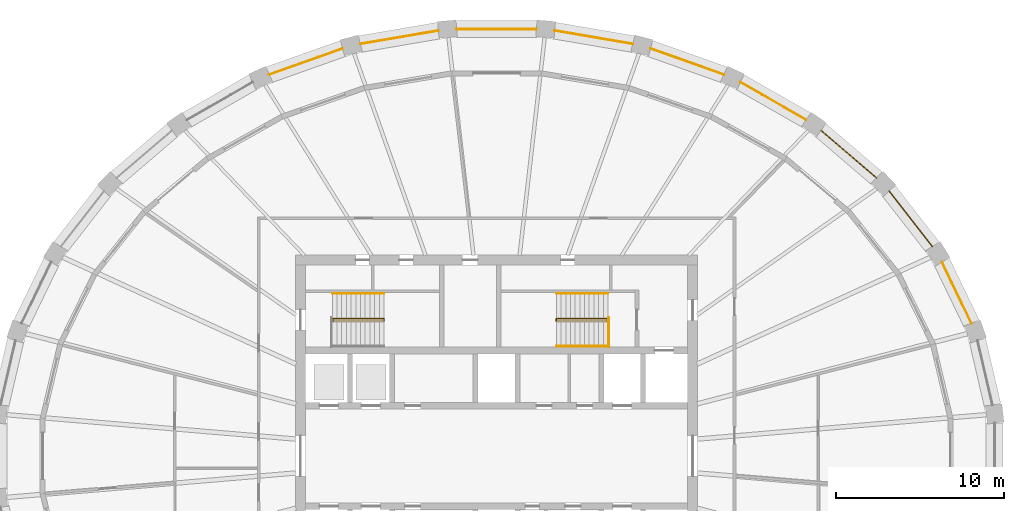
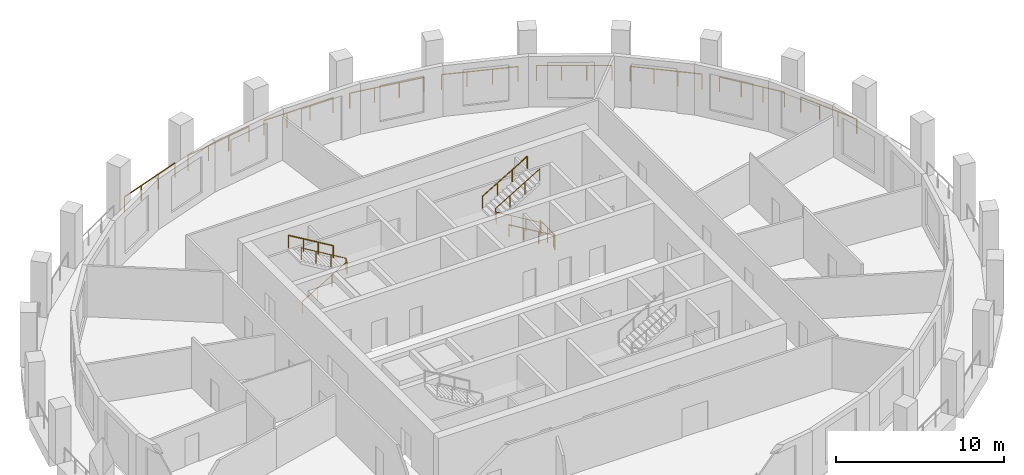
# One storey, part 9 of 10: 15 railings.
"""IFC4 building model written with IfcOpenShell, lengths in metres."""

from ifc_helpers import new_model, si_unit, direction, frame, origin, origin_2d, place, context, subcontext, project, spatial, circle, extrude, material, type_object, element, save


model = new_model("IFC4")

# Units and contexts
model_context = context("Model", 3, precision=1e-05, world=origin(), true_north=direction((0.0, 1.0)))
body_context = subcontext(model_context, "Body", "Model", "MODEL_VIEW")
ifc_project = project(units=[si_unit("LENGTHUNIT", "METRE"), si_unit("AREAUNIT", "SQUARE_METRE"), si_unit("VOLUMEUNIT", "CUBIC_METRE"), si_unit("PLANEANGLEUNIT", "RADIAN"), si_unit("MASSUNIT", "GRAM", prefix="KILO")], contexts=[model_context])

# Site, building, storey
site_placement = place(None, origin())
site = spatial("IfcSite", under=ifc_project, at=site_placement, CompositionType="ELEMENT")
building_placement = place(site_placement, origin())
building = spatial("IfcBuilding", under=site, at=building_placement, Name="Halqa Exchange Tower", CompositionType="ELEMENT")
storey_placement = place(building_placement, frame((0.0, 0.0, 272.300048828125)))
storey = spatial("IfcBuildingStorey", under=building, at=storey_placement, Name="L63", CompositionType="ELEMENT", Elevation=272.300048828125)

# Railings
ifc_material = material(Name="Stainless steel", Category="steel")
railing_type_1 = type_object("IfcRailingType", Name="Guard 1100 stainless steel", PredefinedType="GUARDRAIL", material=ifc_material)
railing_1_placement = place(storey_placement, frame((28.343017578125, 7.927001953125, 0.0)))
element("IfcRailing", 1, at=railing_1_placement, inside=storey, type_object=railing_type_1, Name="Loggia guard 2", PredefinedType="GUARDRAIL", context=body_context, shape_type="SweptSolid", body=[
    extrude(circle(Radius=0.02392578125, at=origin_2d()), frame((0.0, 0.0, 1.076171875), z_axis=(-0.435140153369, 0.900362730751, 0.0), x_axis=(-0.900362730751, -0.435140153369, 0.0)), (0.0, 0.0, 1.0), 4.0498046875),
    extrude(circle(Radius=0.02099609375, at=origin_2d()), origin(), (0.0, 0.0, 1.0), 1.052001953125),
    extrude(circle(Radius=0.02099609375, at=origin_2d()), frame((-0.58740234375, 1.21533203125, 0.0)), (0.0, 0.0, 1.0), 1.052001953125),
    extrude(circle(Radius=0.02099609375, at=origin_2d()), frame((-1.1748046875, 2.430908203125, 0.0)), (0.0, 0.0, 1.0), 1.052001953125),
    extrude(circle(Radius=0.02099609375, at=origin_2d()), frame((-1.76220703125, 3.646240234375, 0.0)), (0.0, 0.0, 1.0), 1.052001953125),
])
railing_2_placement = place(storey_placement, frame((26.00341796875, 12.502197265625, 0.0)))
element("IfcRailing", 2, at=railing_2_placement, inside=storey, type_object=railing_type_1, Name="Loggia guard 3", PredefinedType="GUARDRAIL", context=body_context, shape_type="SweptSolid", body=[
    extrude(circle(Radius=0.02392578125, at=origin_2d()), frame((0.0, 0.0, 1.076171875), z_axis=(-0.614799253617, 0.788683636036, 0.0), x_axis=(-0.788683636036, -0.614799253617, 0.0)), (0.0, 0.0, 1.0), 4.191162109375),
    extrude(circle(Radius=0.02099609375, at=origin_2d()), origin(), (0.0, 0.0, 1.0), 1.052001953125),
    extrude(circle(Radius=0.02099609375, at=origin_2d()), frame((-0.85888671875, 1.101806640625, 0.0)), (0.0, 0.0, 1.0), 1.052001953125),
    extrude(circle(Radius=0.02099609375, at=origin_2d()), frame((-1.7177734375, 2.20361328125, 0.0)), (0.0, 0.0, 1.0), 1.052001953125),
    extrude(circle(Radius=0.02099609375, at=origin_2d()), frame((-2.57666015625, 3.305419921875, 0.0)), (0.0, 0.0, 1.0), 1.052001953125),
])
railing_3_placement = place(storey_placement, frame((22.6708984375, 16.599365234375, 0.0)))
element("IfcRailing", 3, at=railing_3_placement, inside=storey, type_object=railing_type_1, Name="Loggia guard 4", PredefinedType="GUARDRAIL", context=body_context, shape_type="SweptSolid", body=[
    extrude(circle(Radius=0.02392578125, at=origin_2d()), frame((0.0, 0.0, 1.076171875), z_axis=(-0.759232847893, 0.650819085983, 0.0), x_axis=(-0.650819085983, -0.759232847893, 0.0)), (0.0, 0.0, 1.0), 4.35302734375),
    extrude(circle(Radius=0.02099609375, at=origin_2d()), origin(), (0.0, 0.0, 1.0), 1.052001953125),
    extrude(circle(Radius=0.02099609375, at=origin_2d()), frame((-1.1015625, 0.9443359375, 0.0)), (0.0, 0.0, 1.0), 1.052001953125),
    extrude(circle(Radius=0.02099609375, at=origin_2d()), frame((-2.203369140625, 1.888671875, 0.0)), (0.0, 0.0, 1.0), 1.052001953125),
    extrude(circle(Radius=0.02099609375, at=origin_2d()), frame((-3.304931640625, 2.8330078125, 0.0)), (0.0, 0.0, 1.0), 1.052001953125),
])
railing_4_placement = place(storey_placement, frame((18.470947265625, 20.0634765625, 0.0)))
element("IfcRailing", 4, at=railing_4_placement, inside=storey, type_object=railing_type_1, Name="Loggia guard 5", PredefinedType="GUARDRAIL", context=body_context, shape_type="SweptSolid", body=[
    extrude(circle(Radius=0.02392578125, at=origin_2d()), frame((0.0, 0.0, 1.076171875), z_axis=(-0.867743048919, 0.497013079357, 0.0), x_axis=(-0.497013079357, -0.867743048919, 0.0)), (0.0, 0.0, 1.0), 4.51025390625),
    extrude(circle(Radius=0.02099609375, at=origin_2d()), origin(), (0.0, 0.0, 1.0), 1.052001953125),
    extrude(circle(Radius=0.02099609375, at=origin_2d()), frame((-1.3046875, 0.747314453125, 0.0)), (0.0, 0.0, 1.0), 1.052001953125),
    extrude(circle(Radius=0.02099609375, at=origin_2d()), frame((-2.609130859375, 1.494384765625, 0.0)), (0.0, 0.0, 1.0), 1.052001953125),
    extrude(circle(Radius=0.02099609375, at=origin_2d()), frame((-3.913818359375, 2.24169921875, 0.0)), (0.0, 0.0, 1.0), 1.052001953125),
])
railing_5_placement = place(storey_placement, frame((13.5615234375, 22.762451171875, 0.0)))
element("IfcRailing", 5, at=railing_5_placement, inside=storey, type_object=railing_type_1, Name="Loggia guard 6", PredefinedType="GUARDRAIL", context=body_context, shape_type="SweptSolid", body=[
    extrude(circle(Radius=0.02392578125, at=origin_2d()), frame((0.0, 0.0, 1.076171875), z_axis=(-0.942353373352, 0.334619365447, 0.0), x_axis=(-0.334619365447, -0.942353373352, 0.0)), (0.0, 0.0, 1.0), 4.640380859375),
    extrude(circle(Radius=0.02099609375, at=origin_2d()), origin(), (0.0, 0.0, 1.0), 1.052001953125),
    extrude(circle(Radius=0.02099609375, at=origin_2d()), frame((-1.45751953125, 0.517578125, 0.0)), (0.0, 0.0, 1.0), 1.052001953125),
    extrude(circle(Radius=0.02099609375, at=origin_2d()), frame((-2.915283203125, 1.03515625, 0.0)), (0.0, 0.0, 1.0), 1.052001953125),
    extrude(circle(Radius=0.02099609375, at=origin_2d()), frame((-4.372802734375, 1.552734375, 0.0)), (0.0, 0.0, 1.0), 1.052001953125),
])
railing_6_placement = place(storey_placement, frame((8.128173828125, 24.591552734375, 0.0)))
element("IfcRailing", 6, at=railing_6_placement, inside=storey, type_object=railing_type_1, Name="Loggia guard 7", PredefinedType="GUARDRAIL", context=body_context, shape_type="SweptSolid", body=[
    extrude(circle(Radius=0.02392578125, at=origin_2d()), frame((0.0, 0.0, 1.076171875), z_axis=(-0.985776950658, 0.168058928803, 0.0), x_axis=(-0.168058928803, -0.985776950658, 0.0)), (0.0, 0.0, 1.0), 4.7255859375),
    extrude(circle(Radius=0.02099609375, at=origin_2d()), origin(), (0.0, 0.0, 1.0), 1.052001953125),
    extrude(circle(Radius=0.02099609375, at=origin_2d()), frame((-1.552734375, 0.2646484375, 0.0)), (0.0, 0.0, 1.0), 1.052001953125),
    extrude(circle(Radius=0.02099609375, at=origin_2d()), frame((-3.105712890625, 0.529541015625, 0.0)), (0.0, 0.0, 1.0), 1.052001953125),
    extrude(circle(Radius=0.02099609375, at=origin_2d()), frame((-4.658447265625, 0.794189453125, 0.0)), (0.0, 0.0, 1.0), 1.052001953125),
])
railing_7_placement = place(storey_placement, frame((2.377685546875, 25.478271484375, 0.0)))
element("IfcRailing", 7, at=railing_7_placement, inside=storey, type_object=railing_type_1, Name="Loggia guard 8", PredefinedType="GUARDRAIL", context=body_context, shape_type="SweptSolid", body=[
    extrude(circle(Radius=0.02392578125, at=origin_2d()), frame((0.0, 0.0, 1.076171875), z_axis=(-1.0, 0.0, 0.0), x_axis=(0.0, -1.0, 0.0)), (0.0, 0.0, 1.0), 4.75537109375),
    extrude(circle(Radius=0.02099609375, at=origin_2d()), origin(), (0.0, 0.0, 1.0), 1.052001953125),
    extrude(circle(Radius=0.02099609375, at=origin_2d()), frame((-1.585205078125, 0.0, 0.0)), (0.0, 0.0, 1.0), 1.052001953125),
    extrude(circle(Radius=0.02099609375, at=origin_2d()), frame((-3.170166015625, 0.0, 0.0)), (0.0, 0.0, 1.0), 1.052001953125),
    extrude(circle(Radius=0.02099609375, at=origin_2d()), frame((-4.75537109375, 0.0, 0.0)), (0.0, 0.0, 1.0), 1.052001953125),
])
railing_8_placement = place(storey_placement, frame((-3.4697265625, 25.3857421875, 0.0)))
element("IfcRailing", 8, at=railing_8_placement, inside=storey, type_object=railing_type_1, Name="Loggia guard 9", PredefinedType="GUARDRAIL", context=body_context, shape_type="SweptSolid", body=[
    extrude(circle(Radius=0.02392578125, at=origin_2d()), frame((0.0, 0.0, 1.076171875), z_axis=(-0.985776950658, -0.168058928803, 0.0), x_axis=(0.168058928803, -0.985776950658, 0.0)), (0.0, 0.0, 1.0), 4.7255859375),
    extrude(circle(Radius=0.02099609375, at=origin_2d()), origin(), (0.0, 0.0, 1.0), 1.052001953125),
    extrude(circle(Radius=0.02099609375, at=origin_2d()), frame((-1.552734375, -0.2646484375, 0.0)), (0.0, 0.0, 1.0), 1.052001953125),
    extrude(circle(Radius=0.02099609375, at=origin_2d()), frame((-3.105712890625, -0.529541015625, 0.0)), (0.0, 0.0, 1.0), 1.052001953125),
    extrude(circle(Radius=0.02099609375, at=origin_2d()), frame((-4.658447265625, -0.794189453125, 0.0)), (0.0, 0.0, 1.0), 1.052001953125),
])
railing_9_placement = place(storey_placement, frame((-9.188720703125, 24.315185546875, 0.0)))
element("IfcRailing", 9, at=railing_9_placement, inside=storey, type_object=railing_type_1, Name="Loggia guard 10", PredefinedType="GUARDRAIL", context=body_context, shape_type="SweptSolid", body=[
    extrude(circle(Radius=0.02392578125, at=origin_2d()), frame((0.0, 0.0, 1.076171875), z_axis=(-0.942353373352, -0.334619365447, 0.0), x_axis=(0.334619365447, -0.942353373352, 0.0)), (0.0, 0.0, 1.0), 4.640380859375),
    extrude(circle(Radius=0.02099609375, at=origin_2d()), origin(), (0.0, 0.0, 1.0), 1.052001953125),
    extrude(circle(Radius=0.02099609375, at=origin_2d()), frame((-1.45751953125, -0.517578125, 0.0)), (0.0, 0.0, 1.0), 1.052001953125),
    extrude(circle(Radius=0.02099609375, at=origin_2d()), frame((-2.915283203125, -1.03515625, 0.0)), (0.0, 0.0, 1.0), 1.052001953125),
    extrude(circle(Radius=0.02099609375, at=origin_2d()), frame((-4.372802734375, -1.552734375, 0.0)), (0.0, 0.0, 1.0), 1.052001953125),
])
railing_type_2 = type_object("IfcRailingType", Name="Stair handrail 900", PredefinedType="HANDRAIL", material=ifc_material)
railing_10_placement = place(storey_placement, frame((-9.800048828125, 8.06005859375, 0.166748046875)))
element("IfcRailing", 10, at=railing_10_placement, inside=storey, type_object=railing_type_2, Name="Handrail ST1.1", PredefinedType="HANDRAIL", context=body_context, shape_type="SweptSolid", body=[
    extrude(circle(Radius=0.02392578125, at=origin_2d()), frame((0.0, 0.0, 0.8759765625), z_axis=(0.859308565015, 0.0, 0.511457515432), x_axis=(0.0, 1.0, 0.0)), (0.0, 0.0, 1.0), 3.58447265625),
    extrude(circle(Radius=0.02392578125, at=origin_2d()), frame((3.080078125, 0.0, 2.708984375), z_axis=(0.0, 0.614500226555, 0.788916644243), x_axis=(-1.0, 0.0, 0.0)), (0.0, 0.0, 1.0), 0.21142578125),
    extrude(circle(Radius=0.02392578125, at=origin_2d()), frame((3.080078125, 0.1298828125, 2.8759765625), z_axis=(-0.859308565015, 0.0, 0.511457515432), x_axis=(0.0, -1.0, 0.0)), (0.0, 0.0, 1.0), 3.58447265625),
    extrude(circle(Radius=0.02099609375, at=origin_2d()), origin(), (0.0, 0.0, 1.0), 0.851806640625),
    extrude(circle(Radius=0.02099609375, at=origin_2d()), frame((1.026611328125, 0.0, 0.611083984375)), (0.0, 0.0, 1.0), 0.851806640625),
    extrude(circle(Radius=0.02099609375, at=origin_2d()), frame((2.053466796875, 0.0, 1.22216796875)), (0.0, 0.0, 1.0), 0.851806640625),
    extrude(circle(Radius=0.02099609375, at=origin_2d()), frame((3.080078125, 0.0, 1.833251953125)), (0.0, 0.0, 1.0), 0.851806640625),
    extrude(circle(Radius=0.02099609375, at=origin_2d()), frame((3.080078125, 0.1298828125, 2.0)), (0.0, 0.0, 1.0), 0.851806640625),
    extrude(circle(Radius=0.02099609375, at=origin_2d()), frame((2.053466796875, 0.1298828125, 2.611083984375)), (0.0, 0.0, 1.0), 0.851806640625),
    extrude(circle(Radius=0.02099609375, at=origin_2d()), frame((1.026611328125, 0.1298828125, 3.22216796875)), (0.0, 0.0, 1.0), 0.851806640625),
    extrude(circle(Radius=0.02099609375, at=origin_2d()), frame((0.0, 0.1298828125, 3.833251953125)), (0.0, 0.0, 1.0), 0.851806640625),
])
railing_11_placement = place(storey_placement, frame((-6.719970703125, 9.699951171875, 2.166748046875)))
element("IfcRailing", 11, at=railing_11_placement, inside=storey, type_object=railing_type_2, Name="Handrail ST1.3", PredefinedType="HANDRAIL", context=body_context, shape_type="SweptSolid", body=[
    extrude(circle(Radius=0.02392578125, at=origin_2d()), frame((0.0, 0.0, 0.8759765625), z_axis=(-0.859308565015, 0.0, 0.511457515432), x_axis=(0.0, -1.0, 0.0)), (0.0, 0.0, 1.0), 3.58447265625),
    extrude(circle(Radius=0.02099609375, at=origin_2d()), origin(), (0.0, 0.0, 1.0), 0.851806640625),
    extrude(circle(Radius=0.02099609375, at=origin_2d()), frame((-1.026611328125, 0.0, 0.611083984375)), (0.0, 0.0, 1.0), 0.851806640625),
    extrude(circle(Radius=0.02099609375, at=origin_2d()), frame((-2.053466796875, 0.0, 1.22216796875)), (0.0, 0.0, 1.0), 0.851806640625),
    extrude(circle(Radius=0.02099609375, at=origin_2d()), frame((-3.080078125, 0.0, 1.833251953125)), (0.0, 0.0, 1.0), 0.851806640625),
])
railing_12_placement = place(storey_placement, frame((6.64990234375, 8.06005859375, 0.166748046875)))
element("IfcRailing", 12, at=railing_12_placement, inside=storey, type_object=railing_type_2, Name="Handrail ST2.1", PredefinedType="HANDRAIL", context=body_context, shape_type="SweptSolid", body=[
    extrude(circle(Radius=0.02392578125, at=origin_2d()), frame((0.0, 0.0, 0.8759765625), z_axis=(-0.859290745958, 0.0, 0.51148745235), x_axis=(0.0, -1.0, 0.0)), (0.0, 0.0, 1.0), 3.584228515625),
    extrude(circle(Radius=0.02392578125, at=origin_2d()), frame((-3.079833984375, 0.0, 2.708984375), z_axis=(0.0, 0.614500226555, 0.788916644243), x_axis=(-1.0, 0.0, 0.0)), (0.0, 0.0, 1.0), 0.21142578125),
    extrude(circle(Radius=0.02392578125, at=origin_2d()), frame((-3.079833984375, 0.1298828125, 2.8759765625), z_axis=(0.859290745958, 0.0, 0.51148745235), x_axis=(0.0, 1.0, 0.0)), (0.0, 0.0, 1.0), 3.584228515625),
    extrude(circle(Radius=0.02099609375, at=origin_2d()), origin(), (0.0, 0.0, 1.0), 0.851806640625),
    extrude(circle(Radius=0.02099609375, at=origin_2d()), frame((-1.026611328125, 0.0, 0.611083984375)), (0.0, 0.0, 1.0), 0.851806640625),
    extrude(circle(Radius=0.02099609375, at=origin_2d()), frame((-2.05322265625, 0.0, 1.22216796875)), (0.0, 0.0, 1.0), 0.851806640625),
    extrude(circle(Radius=0.02099609375, at=origin_2d()), frame((-3.079833984375, 0.0, 1.833251953125)), (0.0, 0.0, 1.0), 0.851806640625),
    extrude(circle(Radius=0.02099609375, at=origin_2d()), frame((-3.079833984375, 0.1298828125, 2.0)), (0.0, 0.0, 1.0), 0.851806640625),
    extrude(circle(Radius=0.02099609375, at=origin_2d()), frame((-2.05322265625, 0.1298828125, 2.611083984375)), (0.0, 0.0, 1.0), 0.851806640625),
    extrude(circle(Radius=0.02099609375, at=origin_2d()), frame((-1.026611328125, 0.1298828125, 3.22216796875)), (0.0, 0.0, 1.0), 0.851806640625),
    extrude(circle(Radius=0.02099609375, at=origin_2d()), frame((0.0, 0.1298828125, 3.833251953125)), (0.0, 0.0, 1.0), 0.851806640625),
])
railing_13_placement = place(storey_placement, frame((6.64990234375, 6.550048828125, 0.166748046875)))
element("IfcRailing", 13, at=railing_13_placement, inside=storey, type_object=railing_type_2, Name="Handrail ST2.2", PredefinedType="HANDRAIL", context=body_context, shape_type="SweptSolid", body=[
    extrude(circle(Radius=0.02392578125, at=origin_2d()), frame((0.0, 0.0, 0.8759765625), z_axis=(-0.859290745958, 0.0, 0.51148745235), x_axis=(0.0, -1.0, 0.0)), (0.0, 0.0, 1.0), 3.584228515625),
    extrude(circle(Radius=0.02099609375, at=origin_2d()), origin(), (0.0, 0.0, 1.0), 0.851806640625),
    extrude(circle(Radius=0.02099609375, at=origin_2d()), frame((-1.026611328125, 0.0, 0.611083984375)), (0.0, 0.0, 1.0), 0.851806640625),
    extrude(circle(Radius=0.02099609375, at=origin_2d()), frame((-2.05322265625, 0.0, 1.22216796875)), (0.0, 0.0, 1.0), 0.851806640625),
    extrude(circle(Radius=0.02099609375, at=origin_2d()), frame((-3.079833984375, 0.0, 1.833251953125)), (0.0, 0.0, 1.0), 0.851806640625),
])
railing_14_placement = place(storey_placement, frame((3.570068359375, 9.699951171875, 2.166748046875)))
element("IfcRailing", 14, at=railing_14_placement, inside=storey, type_object=railing_type_2, Name="Handrail ST2.3", PredefinedType="HANDRAIL", context=body_context, shape_type="SweptSolid", body=[
    extrude(circle(Radius=0.02392578125, at=origin_2d()), frame((0.0, 0.0, 0.8759765625), z_axis=(0.859290745958, 0.0, 0.51148745235), x_axis=(0.0, 1.0, 0.0)), (0.0, 0.0, 1.0), 3.584228515625),
    extrude(circle(Radius=0.02099609375, at=origin_2d()), origin(), (0.0, 0.0, 1.0), 0.851806640625),
    extrude(circle(Radius=0.02099609375, at=origin_2d()), frame((1.026611328125, 0.0, 0.611083984375)), (0.0, 0.0, 1.0), 0.851806640625),
    extrude(circle(Radius=0.02099609375, at=origin_2d()), frame((2.05322265625, 0.0, 1.22216796875)), (0.0, 0.0, 1.0), 0.851806640625),
    extrude(circle(Radius=0.02099609375, at=origin_2d()), frame((3.079833984375, 0.0, 1.833251953125)), (0.0, 0.0, 1.0), 0.851806640625),
])
railing_type_3 = type_object("IfcRailingType", Name="Stair well guard 1100", PredefinedType="GUARDRAIL", material=ifc_material)
railing_15_placement = place(storey_placement, frame((6.699951171875, 6.5, 0.0)))
element("IfcRailing", 15, at=railing_15_placement, inside=storey, type_object=railing_type_3, Name="Guard ST2 well", PredefinedType="GUARDRAIL", context=body_context, shape_type="SweptSolid", body=[
    extrude(circle(Radius=0.02392578125, at=origin_2d()), frame((0.0, 0.0, 1.076171875), z_axis=(0.0, 1.0, 0.0), x_axis=(-1.0, 0.0, 0.0)), (0.0, 0.0, 1.0), 1.75),
    extrude(circle(Radius=0.02099609375, at=origin_2d()), origin(), (0.0, 0.0, 1.0), 1.052001953125),
    extrude(circle(Radius=0.02099609375, at=origin_2d()), frame((0.0, 0.875, 0.0)), (0.0, 0.0, 1.0), 1.052001953125),
    extrude(circle(Radius=0.02099609375, at=origin_2d()), frame((0.0, 1.75, 0.0)), (0.0, 0.0, 1.0), 1.052001953125),
])

save(model, "model.ifc")
